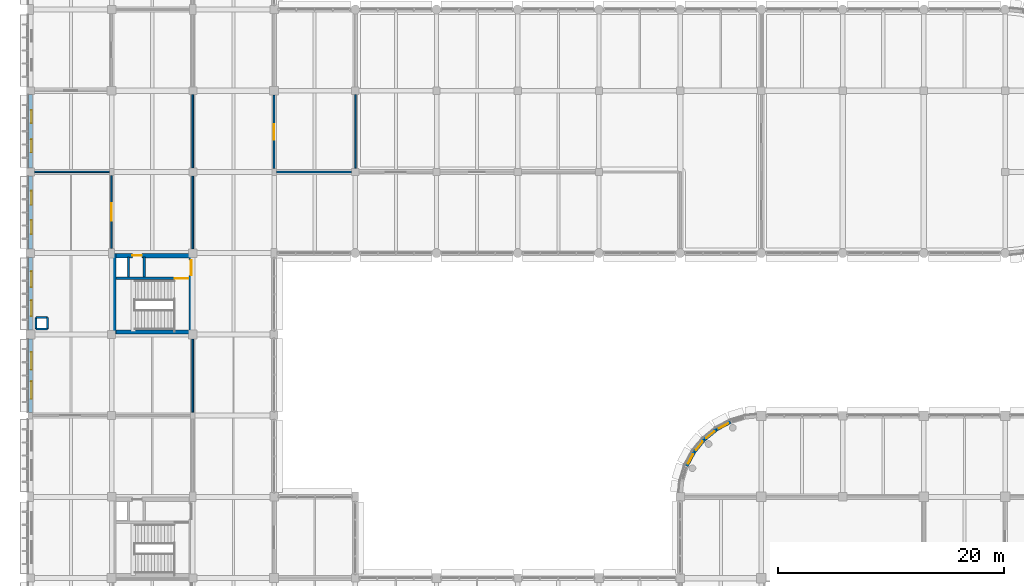
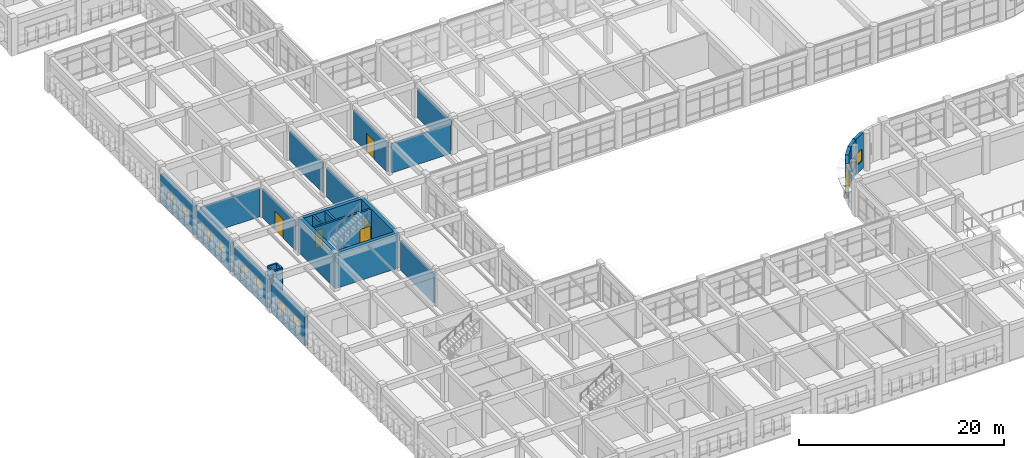
# One storey, part 150 of 171: 27 walls, 12 windows, 5 doors, 17 openings.
"""IFC4 building model written with IfcOpenShell, lengths in metres."""

from ifc_helpers import new_model, si_unit, direction, frame, frame_2d, origin, place, context, subcontext, project, spatial, rectangle, extrude, material, layer, layer_set, type_object, element, fill, save


model = new_model("IFC4")

# Units and contexts
model_context = context("Model", 3, precision=1e-05, world=origin(), true_north=direction((0.0, 1.0)))
body_context = subcontext(model_context, "Body", "Model", "MODEL_VIEW")
ifc_project = project(units=[si_unit("LENGTHUNIT", "METRE"), si_unit("AREAUNIT", "SQUARE_METRE"), si_unit("VOLUMEUNIT", "CUBIC_METRE"), si_unit("PLANEANGLEUNIT", "RADIAN"), si_unit("MASSUNIT", "GRAM", prefix="KILO")], contexts=[model_context])

# Site, building, storey
site_placement = place(None, origin())
site = spatial("IfcSite", under=ifc_project, at=site_placement, CompositionType="ELEMENT")
building_placement = place(site_placement, origin())
building = spatial("IfcBuilding", under=site, at=building_placement, Name="Thalmaran Polytechnic", CompositionType="ELEMENT")
storey_placement = place(building_placement, frame((0.0, 0.0, 5.39990234375)))
storey = spatial("IfcBuildingStorey", under=building, at=storey_placement, Name="L01", CompositionType="ELEMENT", Elevation=5.39990234375)

# Wall, openings, windows
ifc_material_1 = material(Name="Precast concrete C40/50", Category="concrete")
ifc_layer_1 = layer(ifc_material_1, 0.360107421875, Name="Precast concrete C40/50")
ifc_layer_set_1 = layer_set([ifc_layer_1], Name="Precast concrete C40/50")
wall_type_1 = type_object("IfcWallType", Name="WL-EW01", PredefinedType="STANDARD", material=ifc_layer_set_1)
wall_1_placement = place(storey_placement, frame((0.0, 36.300048828125, 0.0), z_axis=(0.0, 0.0, 1.0), x_axis=(0.0, 1.0, 0.0)))
wall_1 = element("IfcWall", 1, at=wall_1_placement, inside=storey, type_object=wall_type_1, Name="Exterior Precast Facade Wall L01-006", PredefinedType="STANDARD", context=body_context, shape_type="SweptSolid", body=[
    extrude(rectangle(XDim=6.510009765625, YDim=0.360107421875, at=frame_2d((3.2548828125, 0.0))), origin(), (0.0, 0.0, 1.0), 3.455078125),
])
opening_1_placement = place(wall_1_placement, frame((1.177978515625, 0.0, 1.14990234375)))
opening_1 = element("IfcOpeningElement", 2, at=opening_1_placement, cuts=wall_1, Name="Opening VW09", PredefinedType="OPENING", context=body_context, shape_type="SweptSolid", body=[
    extrude(rectangle(XDim=1.550048828125, YDim=1.35009765625, at=frame_2d((0.77490234375, 0.675048828125))), frame((0.0, 0.18994140625, 0.0), z_axis=(0.0, -1.0, 0.0), x_axis=(1.0, 0.0, 0.0)), (0.0, 0.0, 1.0), 0.380126953125),
])
opening_2_placement = place(wall_1_placement, frame((3.781982421875, 0.0, 1.14990234375)))
opening_2 = element("IfcOpeningElement", 3, at=opening_2_placement, cuts=wall_1, Name="Opening VW09", PredefinedType="OPENING", context=body_context, shape_type="SweptSolid", body=[
    extrude(rectangle(XDim=1.550048828125, YDim=1.35009765625, at=frame_2d((0.77490234375, 0.675048828125))), frame((0.0, 0.18994140625, 0.0), z_axis=(0.0, -1.0, 0.0), x_axis=(1.0, 0.0, 0.0)), (0.0, 0.0, 1.0), 0.380126953125),
])
ifc_material_2 = material(Name="Thermally broken aluminium and double low-E glass", Category="aluminium")
window_type_1 = type_object("IfcWindowType", Name="WN-VZ09", PartitioningType="SINGLE_PANEL", PredefinedType="WINDOW", material=ifc_material_2)
window_1_placement = place(opening_1_placement, origin())
window_1 = element("IfcWindow", 4, at=window_1_placement, inside=storey, type_object=window_type_1, Name="Deep-Set Solar-Screened Window W-0092", OverallHeight=1.35009765625, OverallWidth=1.550048828125, PartitioningType="SINGLE_PANEL", PredefinedType="WINDOW", context=body_context, shape_type="SweptSolid", body=[
    extrude(rectangle(XDim=1.550048828125, YDim=1.35009765625, at=frame_2d((0.77490234375, 0.675048828125))), frame((0.0, -0.080078125, 0.0), z_axis=(0.0, -1.0, 0.0), x_axis=(1.0, 0.0, 0.0)), (0.0, 0.0, 1.0), 0.06005859375),
])
fill(opening_1, window_1)
window_2_placement = place(opening_2_placement, origin())
window_2 = element("IfcWindow", 5, at=window_2_placement, inside=storey, type_object=window_type_1, Name="Deep-Set Solar-Screened Window W-0093", OverallHeight=1.35009765625, OverallWidth=1.550048828125, PartitioningType="SINGLE_PANEL", PredefinedType="WINDOW", context=body_context, shape_type="SweptSolid", body=[
    extrude(rectangle(XDim=1.550048828125, YDim=1.35009765625, at=frame_2d((0.77490234375, 0.675048828125))), frame((0.0, -0.080078125, 0.0), z_axis=(0.0, -1.0, 0.0), x_axis=(1.0, 0.0, 0.0)), (0.0, 0.0, 1.0), 0.06005859375),
])
fill(opening_2, window_2)

wall_2_placement = place(storey_placement, frame((0.0, 43.590087890625, 0.0), z_axis=(0.0, 0.0, 1.0), x_axis=(0.0, 1.0, 0.0)))
wall_2 = element("IfcWall", 6, at=wall_2_placement, inside=storey, type_object=wall_type_1, Name="Exterior Precast Facade Wall L01-007", PredefinedType="STANDARD", context=body_context, shape_type="SweptSolid", body=[
    extrude(rectangle(XDim=6.434814453125, YDim=0.360107421875, at=frame_2d((3.21728515625, 0.0))), origin(), (0.0, 0.0, 1.0), 3.455078125),
])
opening_3_placement = place(wall_2_placement, frame((1.23046875, 0.0, 1.14990234375)))
opening_3 = element("IfcOpeningElement", 7, at=opening_3_placement, cuts=wall_2, Name="Opening VW10", PredefinedType="OPENING", context=body_context, shape_type="SweptSolid", body=[
    extrude(rectangle(XDim=1.39990234375, YDim=1.300048828125, at=frame_2d((0.699951171875, 0.64990234375))), frame((0.0, 0.18994140625, 0.0), z_axis=(0.0, -1.0, 0.0), x_axis=(1.0, 0.0, 0.0)), (0.0, 0.0, 1.0), 0.380126953125),
])
opening_4_placement = place(wall_2_placement, frame((3.804443359375, 0.0, 1.14990234375)))
opening_4 = element("IfcOpeningElement", 8, at=opening_4_placement, cuts=wall_2, Name="Opening VW10", PredefinedType="OPENING", context=body_context, shape_type="SweptSolid", body=[
    extrude(rectangle(XDim=1.39990234375, YDim=1.300048828125, at=frame_2d((0.699951171875, 0.64990234375))), frame((0.0, 0.18994140625, 0.0), z_axis=(0.0, -1.0, 0.0), x_axis=(1.0, 0.0, 0.0)), (0.0, 0.0, 1.0), 0.380126953125),
])
window_type_2 = type_object("IfcWindowType", Name="WN-VZ10", PartitioningType="SINGLE_PANEL", PredefinedType="WINDOW", material=ifc_material_2)
window_3_placement = place(opening_3_placement, origin())
window_3 = element("IfcWindow", 9, at=window_3_placement, inside=storey, type_object=window_type_2, Name="Deep-Set Solar-Screened Window W-0094", OverallHeight=1.300048828125, OverallWidth=1.39990234375, PartitioningType="SINGLE_PANEL", PredefinedType="WINDOW", context=body_context, shape_type="SweptSolid", body=[
    extrude(rectangle(XDim=1.39990234375, YDim=1.300048828125, at=frame_2d((0.699951171875, 0.64990234375))), frame((0.0, -0.080078125, 0.0), z_axis=(0.0, -1.0, 0.0), x_axis=(1.0, 0.0, 0.0)), (0.0, 0.0, 1.0), 0.06005859375),
])
fill(opening_3, window_3)
window_4_placement = place(opening_4_placement, origin())
window_4 = element("IfcWindow", 10, at=window_4_placement, inside=storey, type_object=window_type_2, Name="Deep-Set Solar-Screened Window W-0095", OverallHeight=1.300048828125, OverallWidth=1.39990234375, PartitioningType="SINGLE_PANEL", PredefinedType="WINDOW", context=body_context, shape_type="SweptSolid", body=[
    extrude(rectangle(XDim=1.39990234375, YDim=1.300048828125, at=frame_2d((0.699951171875, 0.64990234375))), frame((0.0, -0.080078125, 0.0), z_axis=(0.0, -1.0, 0.0), x_axis=(1.0, 0.0, 0.0)), (0.0, 0.0, 1.0), 0.06005859375),
])
fill(opening_4, window_4)

wall_3_placement = place(storey_placement, frame((0.0, 50.77490234375, 0.0), z_axis=(0.0, 0.0, 1.0), x_axis=(0.0, 1.0, 0.0)))
wall_3 = element("IfcWall", 11, at=wall_3_placement, inside=storey, type_object=wall_type_1, Name="Exterior Precast Facade Wall L01-008", PredefinedType="STANDARD", context=body_context, shape_type="SweptSolid", body=[
    extrude(rectangle(XDim=6.465087890625, YDim=0.360107421875, at=frame_2d((3.232421875, 0.0))), origin(), (0.0, 0.0, 1.0), 3.455078125),
])
opening_5_placement = place(wall_3_placement, frame((1.314453125, 0.0, 1.14990234375)))
opening_5 = element("IfcOpeningElement", 12, at=opening_5_placement, cuts=wall_3, Name="Opening VW11", PredefinedType="OPENING", context=body_context, shape_type="SweptSolid", body=[
    extrude(rectangle(XDim=1.25, YDim=1.25, at=frame_2d((0.625, 0.625))), frame((0.0, 0.18994140625, 0.0), z_axis=(0.0, -1.0, 0.0), x_axis=(1.0, 0.0, 0.0)), (0.0, 0.0, 1.0), 0.380126953125),
])
opening_6_placement = place(wall_3_placement, frame((3.900390625, 0.0, 1.14990234375)))
opening_6 = element("IfcOpeningElement", 13, at=opening_6_placement, cuts=wall_3, Name="Opening VW11", PredefinedType="OPENING", context=body_context, shape_type="SweptSolid", body=[
    extrude(rectangle(XDim=1.25, YDim=1.25, at=frame_2d((0.625, 0.625))), frame((0.0, 0.18994140625, 0.0), z_axis=(0.0, -1.0, 0.0), x_axis=(1.0, 0.0, 0.0)), (0.0, 0.0, 1.0), 0.380126953125),
])
window_type_3 = type_object("IfcWindowType", Name="WN-VZ11", PartitioningType="SINGLE_PANEL", PredefinedType="WINDOW", material=ifc_material_2)
window_5_placement = place(opening_5_placement, origin())
window_5 = element("IfcWindow", 14, at=window_5_placement, inside=storey, type_object=window_type_3, Name="Deep-Set Solar-Screened Window W-0096", OverallHeight=1.25, OverallWidth=1.25, PartitioningType="SINGLE_PANEL", PredefinedType="WINDOW", context=body_context, shape_type="SweptSolid", body=[
    extrude(rectangle(XDim=1.25, YDim=1.25, at=frame_2d((0.625, 0.625))), frame((0.0, -0.080078125, 0.0), z_axis=(0.0, -1.0, 0.0), x_axis=(1.0, 0.0, 0.0)), (0.0, 0.0, 1.0), 0.06005859375),
])
fill(opening_5, window_5)
window_6_placement = place(opening_6_placement, origin())
window_6 = element("IfcWindow", 15, at=window_6_placement, inside=storey, type_object=window_type_3, Name="Deep-Set Solar-Screened Window W-0097", OverallHeight=1.25, OverallWidth=1.25, PartitioningType="SINGLE_PANEL", PredefinedType="WINDOW", context=body_context, shape_type="SweptSolid", body=[
    extrude(rectangle(XDim=1.25, YDim=1.25, at=frame_2d((0.625, 0.625))), frame((0.0, -0.080078125, 0.0), z_axis=(0.0, -1.0, 0.0), x_axis=(1.0, 0.0, 0.0)), (0.0, 0.0, 1.0), 0.06005859375),
])
fill(opening_6, window_6)

wall_4_placement = place(storey_placement, frame((0.0, 57.9599609375, 0.0), z_axis=(0.0, 0.0, 1.0), x_axis=(0.0, 1.0, 0.0)))
wall_4 = element("IfcWall", 16, at=wall_4_placement, inside=storey, type_object=wall_type_1, Name="Exterior Precast Facade Wall L01-009", PredefinedType="STANDARD", context=body_context, shape_type="SweptSolid", body=[
    extrude(rectangle(XDim=6.489990234375, YDim=0.360107421875, at=frame_2d((3.2451171875, 0.0))), origin(), (0.0, 0.0, 1.0), 3.455078125),
])
opening_7_placement = place(wall_4_placement, frame((1.3720703125, 0.0, 1.14990234375)))
opening_7 = element("IfcOpeningElement", 17, at=opening_7_placement, cuts=wall_4, Name="Opening VW12", PredefinedType="OPENING", context=body_context, shape_type="SweptSolid", body=[
    extrude(rectangle(XDim=1.14990234375, YDim=1.199951171875, at=frame_2d((0.574951171875, 0.60009765625))), frame((0.0, 0.18994140625, 0.0), z_axis=(0.0, -1.0, 0.0), x_axis=(1.0, 0.0, 0.0)), (0.0, 0.0, 1.0), 0.380126953125),
])
opening_8_placement = place(wall_4_placement, frame((3.968017578125, 0.0, 1.14990234375)))
opening_8 = element("IfcOpeningElement", 18, at=opening_8_placement, cuts=wall_4, Name="Opening VW12", PredefinedType="OPENING", context=body_context, shape_type="SweptSolid", body=[
    extrude(rectangle(XDim=1.14990234375, YDim=1.199951171875, at=frame_2d((0.574951171875, 0.60009765625))), frame((0.0, 0.18994140625, 0.0), z_axis=(0.0, -1.0, 0.0), x_axis=(1.0, 0.0, 0.0)), (0.0, 0.0, 1.0), 0.380126953125),
])
window_type_4 = type_object("IfcWindowType", Name="WN-VZ12", PartitioningType="SINGLE_PANEL", PredefinedType="WINDOW", material=ifc_material_2)
window_7_placement = place(opening_7_placement, origin())
window_7 = element("IfcWindow", 19, at=window_7_placement, inside=storey, type_object=window_type_4, Name="Deep-Set Solar-Screened Window W-0098", OverallHeight=1.199951171875, OverallWidth=1.14990234375, PartitioningType="SINGLE_PANEL", PredefinedType="WINDOW", context=body_context, shape_type="SweptSolid", body=[
    extrude(rectangle(XDim=1.14990234375, YDim=1.199951171875, at=frame_2d((0.574951171875, 0.60009765625))), frame((0.0, -0.080078125, 0.0), z_axis=(0.0, -1.0, 0.0), x_axis=(1.0, 0.0, 0.0)), (0.0, 0.0, 1.0), 0.06005859375),
])
fill(opening_7, window_7)
window_8_placement = place(opening_8_placement, origin())
window_8 = element("IfcWindow", 20, at=window_8_placement, inside=storey, type_object=window_type_4, Name="Deep-Set Solar-Screened Window W-0099", OverallHeight=1.199951171875, OverallWidth=1.14990234375, PartitioningType="SINGLE_PANEL", PredefinedType="WINDOW", context=body_context, shape_type="SweptSolid", body=[
    extrude(rectangle(XDim=1.14990234375, YDim=1.199951171875, at=frame_2d((0.574951171875, 0.60009765625))), frame((0.0, -0.080078125, 0.0), z_axis=(0.0, -1.0, 0.0), x_axis=(1.0, 0.0, 0.0)), (0.0, 0.0, 1.0), 0.06005859375),
])
fill(opening_8, window_8)

# Wall, opening, window
wall_5_placement = place(storey_placement, frame((58.14794921875, 31.555419921875, 0.0), z_axis=(0.0, 0.0, 1.0), x_axis=(0.471539643102, 0.881844864465, 0.0)))
wall_5 = element("IfcWall", 21, at=wall_5_placement, inside=storey, type_object=wall_type_1, Name="Exterior Precast Facade Wall L01-182", PredefinedType="STANDARD", context=body_context, shape_type="SweptSolid", body=[
    extrude(rectangle(XDim=1.411376953125, YDim=0.360107421875, at=frame_2d((0.70556640625, 0.0))), origin(), (0.0, 0.0, 1.0), 4.210205078125),
])
opening_9_placement = place(wall_5_placement, frame((0.2255859375, 0.0, 1.0)))
opening_9 = element("IfcOpeningElement", 22, at=opening_9_placement, cuts=wall_5, Name="Opening CR01", PredefinedType="OPENING", context=body_context, shape_type="SweptSolid", body=[
    extrude(rectangle(XDim=0.9599609375, YDim=1.39990234375, at=frame_2d((0.47998046875, 0.699951171875))), frame((0.0, 0.18994140625, 0.0), z_axis=(0.0, -1.0, 0.0), x_axis=(1.0, 0.0, 0.0)), (0.0, 0.0, 1.0), 0.380126953125),
])
window_type_5 = type_object("IfcWindowType", Name="WN-CR01", PartitioningType="SINGLE_PANEL", PredefinedType="WINDOW", material=ifc_material_2)
window_9_placement = place(opening_9_placement, origin())
window_9 = element("IfcWindow", 23, at=window_9_placement, inside=storey, type_object=window_type_5, Name="Curved Prow Ribbon Window W-0174", OverallHeight=1.39990234375, OverallWidth=0.9599609375, PartitioningType="SINGLE_PANEL", PredefinedType="WINDOW", context=body_context, shape_type="SweptSolid", body=[
    extrude(rectangle(XDim=0.9599609375, YDim=1.39990234375, at=frame_2d((0.47998046875, 0.699951171875))), frame((0.0, -0.010009765625, 0.0), z_axis=(0.0, -1.0, 0.0), x_axis=(1.0, 0.0, 0.0)), (0.0, 0.0, 1.0), 0.06005859375),
])
fill(opening_9, window_9)

wall_6_placement = place(storey_placement, frame((58.8134765625, 32.800048828125, 0.0), z_axis=(0.0, 0.0, 1.0), x_axis=(0.63432986571, 0.773062495189, 0.0)))
wall_6 = element("IfcWall", 24, at=wall_6_placement, inside=storey, type_object=wall_type_1, Name="Exterior Precast Facade Wall L01-183", PredefinedType="STANDARD", context=body_context, shape_type="SweptSolid", body=[
    extrude(rectangle(XDim=1.411376953125, YDim=0.360107421875, at=frame_2d((0.70556640625, 0.0))), origin(), (0.0, 0.0, 1.0), 4.210205078125),
])
opening_10_placement = place(wall_6_placement, frame((0.2255859375, 0.0, 1.0)))
opening_10 = element("IfcOpeningElement", 25, at=opening_10_placement, cuts=wall_6, Name="Opening CR01", PredefinedType="OPENING", context=body_context, shape_type="SweptSolid", body=[
    extrude(rectangle(XDim=0.9599609375, YDim=1.39990234375, at=frame_2d((0.47998046875, 0.699951171875))), frame((0.0, 0.18994140625, 0.0), z_axis=(0.0, -1.0, 0.0), x_axis=(1.0, 0.0, 0.0)), (0.0, 0.0, 1.0), 0.380126953125),
])
window_10_placement = place(opening_10_placement, origin())
window_10 = element("IfcWindow", 26, at=window_10_placement, inside=storey, type_object=window_type_5, Name="Curved Prow Ribbon Window W-0175", OverallHeight=1.39990234375, OverallWidth=0.9599609375, PartitioningType="SINGLE_PANEL", PredefinedType="WINDOW", context=body_context, shape_type="SweptSolid", body=[
    extrude(rectangle(XDim=0.9599609375, YDim=1.39990234375, at=frame_2d((0.47998046875, 0.699951171875))), frame((0.0, -0.010009765625, 0.0), z_axis=(0.0, -1.0, 0.0), x_axis=(1.0, 0.0, 0.0)), (0.0, 0.0, 1.0), 0.06005859375),
])
fill(opening_10, window_10)

wall_7_placement = place(storey_placement, frame((59.708740234375, 33.89111328125, 0.0), z_axis=(0.0, 0.0, 1.0), x_axis=(0.772977670605, 0.634433227965, 0.0)))
wall_7 = element("IfcWall", 27, at=wall_7_placement, inside=storey, type_object=wall_type_1, Name="Exterior Precast Facade Wall L01-184", PredefinedType="STANDARD", context=body_context, shape_type="SweptSolid", body=[
    extrude(rectangle(XDim=1.41162109375, YDim=0.360107421875, at=frame_2d((0.705810546875, 0.0))), origin(), (0.0, 0.0, 1.0), 4.210205078125),
])
opening_11_placement = place(wall_7_placement, frame((0.2255859375, 0.0, 1.0)))
opening_11 = element("IfcOpeningElement", 28, at=opening_11_placement, cuts=wall_7, Name="Opening CR01", PredefinedType="OPENING", context=body_context, shape_type="SweptSolid", body=[
    extrude(rectangle(XDim=0.9599609375, YDim=1.39990234375, at=frame_2d((0.47998046875, 0.699951171875))), frame((0.0, 0.18994140625, 0.0), z_axis=(0.0, -1.0, 0.0), x_axis=(1.0, 0.0, 0.0)), (0.0, 0.0, 1.0), 0.380126953125),
])
window_11_placement = place(opening_11_placement, origin())
window_11 = element("IfcWindow", 29, at=window_11_placement, inside=storey, type_object=window_type_5, Name="Curved Prow Ribbon Window W-0176", OverallHeight=1.39990234375, OverallWidth=0.9599609375, PartitioningType="SINGLE_PANEL", PredefinedType="WINDOW", context=body_context, shape_type="SweptSolid", body=[
    extrude(rectangle(XDim=0.9599609375, YDim=1.39990234375, at=frame_2d((0.47998046875, 0.699951171875))), frame((0.0, -0.010009765625, 0.0), z_axis=(0.0, -1.0, 0.0), x_axis=(1.0, 0.0, 0.0)), (0.0, 0.0, 1.0), 0.06005859375),
])
fill(opening_11, window_11)

ifc_layer_2 = layer(ifc_material_1, 0.330078125, Name="Precast concrete C40/50")
ifc_layer_set_2 = layer_set([ifc_layer_2], Name="Precast concrete C40/50")
wall_type_2 = type_object("IfcWallType", Name="WL-EW02", PredefinedType="STANDARD", material=ifc_layer_set_2)
wall_8_placement = place(storey_placement, frame((60.7998046875, 34.78662109375, 0.0), z_axis=(0.0, 0.0, 1.0), x_axis=(0.881955222984, 0.471333199182, 0.0)))
wall_8 = element("IfcWall", 30, at=wall_8_placement, inside=storey, type_object=wall_type_2, Name="Exterior Precast Facade Wall L01-185", PredefinedType="STANDARD", context=body_context, shape_type="SweptSolid", body=[
    extrude(rectangle(XDim=1.411376953125, YDim=0.330078125, at=frame_2d((0.70556640625, 0.0))), origin(), (0.0, 0.0, 1.0), 4.210205078125),
])
opening_12_placement = place(wall_8_placement, frame((0.2255859375, 0.0, 1.0)))
opening_12 = element("IfcOpeningElement", 31, at=opening_12_placement, cuts=wall_8, Name="Opening CR01", PredefinedType="OPENING", context=body_context, shape_type="SweptSolid", body=[
    extrude(rectangle(XDim=0.9599609375, YDim=1.39990234375, at=frame_2d((0.47998046875, 0.699951171875))), frame((0.0, 0.175048828125, 0.0), z_axis=(0.0, -1.0, 0.0), x_axis=(1.0, 0.0, 0.0)), (0.0, 0.0, 1.0), 0.35009765625),
])
window_12_placement = place(opening_12_placement, origin())
window_12 = element("IfcWindow", 32, at=window_12_placement, inside=storey, type_object=window_type_5, Name="Curved Prow Ribbon Window W-0177", OverallHeight=1.39990234375, OverallWidth=0.9599609375, PartitioningType="SINGLE_PANEL", PredefinedType="WINDOW", context=body_context, shape_type="SweptSolid", body=[
    extrude(rectangle(XDim=0.9599609375, YDim=1.39990234375, at=frame_2d((0.47998046875, 0.699951171875))), frame((0.0, -0.010009765625, 0.0), z_axis=(0.0, -1.0, 0.0), x_axis=(1.0, 0.0, 0.0)), (0.0, 0.0, 1.0), 0.06005859375),
])
fill(opening_12, window_12)

# Walls
ifc_material_3 = material(Name="Autoclaved aerated masonry", Category="masonry")
ifc_layer_3 = layer(ifc_material_3, 0.22998046875, Name="Autoclaved aerated masonry")
ifc_layer_set_3 = layer_set([ifc_layer_3], Name="Autoclaved aerated masonry")
wall_type_3 = type_object("IfcWallType", Name="WL-IW02", PredefinedType="PARTITIONING", material=ifc_layer_set_3)
wall_9_placement = place(storey_placement, frame((10.10009765625, 48.300048828125, 0.0), z_axis=(0.0, 0.0, 1.0), x_axis=(0.0, 1.0, 0.0)))
element("IfcWall", 33, at=wall_9_placement, inside=storey, type_object=wall_type_3, Name="Core C4 Riser Partition L01", PredefinedType="PARTITIONING", context=body_context, shape_type="SweptSolid", body=[
    extrude(rectangle(XDim=1.739990234375, YDim=0.22998046875, at=frame_2d((0.8701171875, 0.0))), origin(), (0.0, 0.0, 1.0), 4.210205078125),
])
ifc_layer_4 = layer(ifc_material_3, 0.179931640625, Name="Autoclaved aerated masonry")
ifc_layer_set_4 = layer_set([ifc_layer_4], Name="Autoclaved aerated masonry")
wall_type_4 = type_object("IfcWallType", Name="WL-IW04", PredefinedType="PARTITIONING", material=ifc_layer_set_4)
wall_10_placement = place(storey_placement, frame((8.679931640625, 48.280029296875, 0.0), z_axis=(0.0, 0.0, 1.0), x_axis=(0.0, 1.0, 0.0)))
element("IfcWall", 34, at=wall_10_placement, inside=storey, type_object=wall_type_4, Name="Core C4 Riser Shaft Enclosure Wall L01", PredefinedType="PARTITIONING", context=body_context, shape_type="SweptSolid", body=[
    extrude(rectangle(XDim=1.760009765625, YDim=0.179931640625, at=frame_2d((0.8798828125, 0.0))), origin(), (0.0, 0.0, 1.0), 4.210205078125),
])
for number, where, z_axis, x_axis, name in (
    (35, (0.489990234375, 43.68994140625, 0.0), (0.0, 0.0, 1.0), (1.0, 0.0, 0.0), "Fume Exhaust Riser Shaft Wall L01 (0,6)-S"),
    (36, (1.510009765625, 43.68994140625, 0.0), (0.0, 0.0, 1.0), (0.0, 1.0, 0.0), "Fume Exhaust Riser Shaft Wall L01 (0,6)-E"),
    (37, (1.510009765625, 44.7099609375, 0.0), (0.0, 0.0, 1.0), (-1.0, 0.0, 0.0), "Fume Exhaust Riser Shaft Wall L01 (0,6)-N"),
    (38, (0.489990234375, 44.7099609375, 0.0), (0.0, 0.0, 1.0), (0.0, -1.0, 0.0), "Fume Exhaust Riser Shaft Wall L01 (0,6)-W"),
):
    element("IfcWall", number, at=place(storey_placement, frame(where, z_axis=z_axis, x_axis=x_axis)), inside=storey, type_object=wall_type_4, Name=name, PredefinedType="PARTITIONING", context=body_context, shape_type="SweptSolid", body=[
        extrude(rectangle(XDim=1.02001953125, YDim=0.179931640625, at=frame_2d((0.510009765625, 0.0))), origin(), (0.0, 0.0, 1.0), 4.210205078125),
    ])
ifc_material_4 = material(Name="Gypsum acoustic partition")
ifc_layer_5 = layer(ifc_material_4, 0.159912109375, Name="Gypsum acoustic partition")
ifc_layer_set_5 = layer_set([ifc_layer_5], Name="Gypsum acoustic partition")
wall_type_5 = type_object("IfcWallType", Name="WL-IW05", PredefinedType="PARTITIONING", material=ifc_layer_set_5)
wall_11_placement = place(storey_placement, frame((14.39990234375, 36.304931640625, 0.0), z_axis=(0.0, 0.0, 1.0), x_axis=(0.0, 1.0, 0.0)))
element("IfcWall", 39, at=wall_11_placement, inside=storey, type_object=wall_type_5, Name="Interior Partition IW05 L01-013", PredefinedType="PARTITIONING", context=body_context, shape_type="SweptSolid", body=[
    extrude(rectangle(XDim=6.5, YDim=0.159912109375, at=frame_2d((3.25, 0.0))), origin(), (0.0, 0.0, 1.0), 3.580078125),
])
wall_12_placement = place(storey_placement, frame((14.39990234375, 50.780029296875, 0.0), z_axis=(0.0, 0.0, 1.0), x_axis=(0.0, 1.0, 0.0)))
element("IfcWall", 40, at=wall_12_placement, inside=storey, type_object=wall_type_5, Name="Interior Partition IW05 L01-014", PredefinedType="PARTITIONING", context=body_context, shape_type="SweptSolid", body=[
    extrude(rectangle(XDim=6.455078125, YDim=0.159912109375, at=frame_2d((3.2275390625, 0.0))), origin(), (0.0, 0.0, 1.0), 3.525146484375),
])
wall_13_placement = place(storey_placement, frame((14.39990234375, 57.965087890625, 0.0), z_axis=(0.0, 0.0, 1.0), x_axis=(0.0, 1.0, 0.0)))
element("IfcWall", 41, at=wall_13_placement, inside=storey, type_object=wall_type_5, Name="Interior Partition IW05 L01-015", PredefinedType="PARTITIONING", context=body_context, shape_type="SweptSolid", body=[
    extrude(rectangle(XDim=6.47998046875, YDim=0.159912109375, at=frame_2d((3.239990234375, 0.0))), origin(), (0.0, 0.0, 1.0), 3.525146484375),
])

# Wall, opening, door
wall_14_placement = place(storey_placement, frame((21.60009765625, 57.905029296875, 0.0), z_axis=(0.0, 0.0, 1.0), x_axis=(0.0, 1.0, 0.0)))
wall_14 = element("IfcWall", 42, at=wall_14_placement, inside=storey, type_object=wall_type_5, Name="Interior Partition IW05 L01-028", PredefinedType="PARTITIONING", context=body_context, shape_type="SweptSolid", body=[
    extrude(rectangle(XDim=6.5, YDim=0.159912109375, at=frame_2d((3.25, 0.0))), origin(), (0.0, 0.0, 1.0), 3.525146484375),
])
opening_13_placement = place(wall_14_placement, frame((2.56005859375, 0.0, 0.0)))
opening_13 = element("IfcOpeningElement", 43, at=opening_13_placement, cuts=wall_14, Name="Opening D-L01-012-1-08-1", PredefinedType="OPENING", context=body_context, shape_type="SweptSolid", body=[
    extrude(rectangle(XDim=1.3798828125, YDim=2.219970703125, at=frame_2d((0.68994140625, 1.10986328125))), frame((0.0, 0.08984375, 0.0), z_axis=(0.0, -1.0, 0.0), x_axis=(1.0, 0.0, 0.0)), (0.0, 0.0, 1.0), 0.179931640625),
])
ifc_material_5 = material(Name="Acoustic hardwood and vision glass", Category="wood")
door_type_1 = type_object("IfcDoorType", Name="DR-ZD04", OperationType="NOTDEFINED", PredefinedType="DOOR", material=ifc_material_5)
door_1_placement = place(opening_13_placement, origin())
door_1 = element("IfcDoor", 44, at=door_1_placement, inside=storey, type_object=door_type_1, Name="Fluid Mechanics Laboratory L01-08 Door 1", OperationType="SINGLE_SWING_LEFT", OverallHeight=2.219970703125, OverallWidth=1.3798828125, PredefinedType="DOOR", context=body_context, shape_type="SweptSolid", body=[
    extrude(rectangle(XDim=1.3798828125, YDim=2.219970703125, at=frame_2d((0.68994140625, 1.10986328125))), frame((0.0, 0.02490234375, 0.0), z_axis=(0.0, -1.0, 0.0), x_axis=(1.0, 0.0, 0.0)), (0.0, 0.0, 1.0), 0.050048828125),
])
fill(opening_13, door_1)

# Walls
wall_15_placement = place(storey_placement, frame((21.804931640625, 57.60009765625, 0.0), z_axis=(0.0, 0.0, 1.0), x_axis=(1.0, 0.0, 0.0)))
element("IfcWall", 45, at=wall_15_placement, inside=storey, type_object=wall_type_5, Name="Interior Partition IW05 L01-035", PredefinedType="PARTITIONING", context=body_context, shape_type="SweptSolid", body=[
    extrude(rectangle(XDim=6.6650390625, YDim=0.159912109375, at=frame_2d((3.33251953125, 0.0))), origin(), (0.0, 0.0, 1.0), 3.489990234375),
])
ifc_layer_6 = layer(ifc_material_4, 0.1298828125, Name="Gypsum acoustic partition")
ifc_layer_set_6 = layer_set([ifc_layer_6], Name="Gypsum acoustic partition")
wall_type_6 = type_object("IfcWallType", Name="WL-IW07", PredefinedType="PARTITIONING", material=ifc_layer_set_6)
wall_16_placement = place(storey_placement, frame((0.364990234375, 57.60009765625, 0.0), z_axis=(0.0, 0.0, 1.0), x_axis=(1.0, 0.0, 0.0)))
element("IfcWall", 46, at=wall_16_placement, inside=storey, type_object=wall_type_6, Name="Interior Partition IW07 L01-004", PredefinedType="PARTITIONING", context=body_context, shape_type="SweptSolid", body=[
    extrude(rectangle(XDim=6.630126953125, YDim=0.1298828125, at=frame_2d((3.31494140625, 0.0))), origin(), (0.0, 0.0, 1.0), 3.460205078125),
])
wall_17_placement = place(storey_placement, frame((28.800048828125, 57.929931640625, 0.0), z_axis=(0.0, 0.0, 1.0), x_axis=(0.0, 1.0, 0.0)))
element("IfcWall", 47, at=wall_17_placement, inside=storey, type_object=wall_type_6, Name="Interior Partition IW07 L01-036", PredefinedType="PARTITIONING", context=body_context, shape_type="SweptSolid", body=[
    extrude(rectangle(XDim=6.5400390625, YDim=0.1298828125, at=frame_2d((3.27001953125, 0.0))), origin(), (0.0, 0.0, 1.0), 3.525146484375),
])

# Wall, opening, door
ifc_layer_7 = layer(ifc_material_4, 0.114990234375, Name="Gypsum acoustic partition")
ifc_layer_set_7 = layer_set([ifc_layer_7], Name="Gypsum acoustic partition")
wall_type_7 = type_object("IfcWallType", Name="WL-IW08", PredefinedType="PARTITIONING", material=ifc_layer_set_7)
wall_18_placement = place(storey_placement, frame((7.199951171875, 50.830078125, 0.0), z_axis=(0.0, 0.0, 1.0), x_axis=(0.0, 1.0, 0.0)))
wall_18 = element("IfcWall", 48, at=wall_18_placement, inside=storey, type_object=wall_type_7, Name="Interior Partition IW08 L01-003", PredefinedType="PARTITIONING", context=body_context, shape_type="SweptSolid", body=[
    extrude(rectangle(XDim=6.46484375, YDim=0.114990234375, at=frame_2d((3.232421875, 0.0))), origin(), (0.0, 0.0, 1.0), 3.525146484375),
])
opening_14_placement = place(wall_18_placement, frame((2.452392578125, 0.0, 0.0)))
opening_14 = element("IfcOpeningElement", 49, at=opening_14_placement, cuts=wall_18, Name="Opening D-L01-011-1-07-1", PredefinedType="OPENING", context=body_context, shape_type="SweptSolid", body=[
    extrude(rectangle(XDim=1.56005859375, YDim=2.25, at=frame_2d((0.780029296875, 1.125))), frame((0.0, 0.0673828125, 0.0), z_axis=(0.0, -1.0, 0.0), x_axis=(1.0, 0.0, 0.0)), (0.0, 0.0, 1.0), 0.135009765625),
])
door_type_2 = type_object("IfcDoorType", Name="DR-ZD03", OperationType="NOTDEFINED", PredefinedType="DOOR", material=ifc_material_5)
door_2_placement = place(opening_14_placement, origin())
door_2 = element("IfcDoor", 50, at=door_2_placement, inside=storey, type_object=door_type_2, Name="Academic Department Suite L01-07 Door 1", OperationType="SINGLE_SWING_RIGHT", OverallHeight=2.25, OverallWidth=1.56005859375, PredefinedType="DOOR", context=body_context, shape_type="SweptSolid", body=[
    extrude(rectangle(XDim=1.56005859375, YDim=2.25, at=frame_2d((0.780029296875, 1.125))), frame((0.0, 0.02490234375, 0.0), z_axis=(0.0, -1.0, 0.0), x_axis=(1.0, 0.0, 0.0)), (0.0, 0.0, 1.0), 0.050048828125),
])
fill(opening_14, door_2)

# Walls
ifc_material_6 = material(Name="Concrete C50/60", Category="concrete")
ifc_layer_8 = layer(ifc_material_6, 0.3798828125, Name="Concrete C50/60")
ifc_layer_set_8 = layer_set([ifc_layer_8], Name="Concrete C50/60")
wall_type_8 = type_object("IfcWallType", Name="WL-SW02", PredefinedType="SHEAR", material=ifc_layer_set_8)
wall_19_placement = place(storey_placement, frame((7.610107421875, 43.419921875, 0.0), z_axis=(0.0, 0.0, 1.0), x_axis=(1.0, 0.0, 0.0)))
element("IfcWall", 51, at=wall_19_placement, inside=storey, type_object=wall_type_8, Name="Core C4 South Shear Wall L01", PredefinedType="SHEAR", context=body_context, shape_type="SweptSolid", body=[
    extrude(rectangle(XDim=6.4599609375, YDim=0.3798828125, at=frame_2d((3.22998046875, 0.0))), origin(), (0.0, 0.0, 1.0), 4.210205078125),
])
wall_20_placement = place(storey_placement, frame((7.419921875, 50.3701171875, 0.0), z_axis=(0.0, 0.0, 1.0), x_axis=(0.0, -1.0, 0.0)))
element("IfcWall", 52, at=wall_20_placement, inside=storey, type_object=wall_type_8, Name="Core C4 West Shear Wall L01", PredefinedType="SHEAR", context=body_context, shape_type="SweptSolid", body=[
    extrude(rectangle(XDim=7.14013671875, YDim=0.3798828125, at=frame_2d((3.570068359375, 0.0))), origin(), (0.0, 0.0, 1.0), 4.210205078125),
])

# Wall, opening, door
wall_21_placement = place(storey_placement, frame((7.610107421875, 50.179931640625, 0.0), z_axis=(0.0, 0.0, 1.0), x_axis=(1.0, 0.0, 0.0)))
wall_21 = element("IfcWall", 53, at=wall_21_placement, inside=storey, type_object=wall_type_8, Name="Core C4 North Shear Wall L01", PredefinedType="SHEAR", context=body_context, shape_type="SweptSolid", body=[
    extrude(rectangle(XDim=6.4599609375, YDim=0.3798828125, at=frame_2d((3.22998046875, 0.0))), origin(), (0.0, 0.0, 1.0), 4.210205078125),
])
opening_15_placement = place(wall_21_placement, frame((1.419921875, 0.0, 0.0)))
opening_15 = element("IfcOpeningElement", 54, at=opening_15_placement, cuts=wall_21, Name="Opening DR-C4-L01-R", PredefinedType="OPENING", context=body_context, shape_type="SweptSolid", body=[
    extrude(rectangle(XDim=0.85009765625, YDim=2.10009765625, at=frame_2d((0.425048828125, 1.050048828125))), frame((0.0, 0.199951171875, 0.0), z_axis=(0.0, -1.0, 0.0), x_axis=(1.0, 0.0, 0.0)), (0.0, 0.0, 1.0), 0.39990234375),
])
ifc_material_7 = material(Name="Powder-coated fire-rated steel", Category="steel")
door_type_3 = type_object("IfcDoorType", Name="DR-FD09", OperationType="NOTDEFINED", PredefinedType="DOOR", material=ifc_material_7)
door_3_placement = place(opening_15_placement, origin())
door_3 = element("IfcDoor", 55, at=door_3_placement, inside=storey, type_object=door_type_3, Name="Riser Access Fire Door C4 L01", OperationType="SINGLE_SWING_RIGHT", OverallHeight=2.10009765625, OverallWidth=0.85009765625, PredefinedType="DOOR", context=body_context, shape_type="SweptSolid", body=[
    extrude(rectangle(XDim=0.85009765625, YDim=2.10009765625, at=frame_2d((0.425048828125, 1.050048828125))), frame((0.0, 0.02490234375, 0.0), z_axis=(0.0, -1.0, 0.0), x_axis=(1.0, 0.0, 0.0)), (0.0, 0.0, 1.0), 0.050048828125),
])
fill(opening_15, door_3)

wall_22_placement = place(storey_placement, frame((7.610107421875, 48.159912109375, 0.0), z_axis=(0.0, 0.0, 1.0), x_axis=(1.0, 0.0, 0.0)))
wall_22 = element("IfcWall", 56, at=wall_22_placement, inside=storey, type_object=wall_type_8, Name="Core C4 Stair Partition L01", PredefinedType="SHEAR", context=body_context, shape_type="SweptSolid", body=[
    extrude(rectangle(XDim=6.4599609375, YDim=0.219970703125, at=frame_2d((3.22998046875, 0.0))), origin(), (0.0, 0.0, 1.0), 4.210205078125),
])
opening_16_placement = place(wall_22_placement, frame((5.199951171875, 0.0, 0.0)))
opening_16 = element("IfcOpeningElement", 57, at=opening_16_placement, cuts=wall_22, Name="Opening SD-ST4-L01", PredefinedType="OPENING", context=body_context, shape_type="SweptSolid", body=[
    extrude(rectangle(XDim=1.199951171875, YDim=2.199951171875, at=frame_2d((0.60009765625, 1.10009765625))), frame((0.0, 0.119873046875, 0.0), z_axis=(0.0, -1.0, 0.0), x_axis=(1.0, 0.0, 0.0)), (0.0, 0.0, 1.0), 0.239990234375),
])
door_type_4 = type_object("IfcDoorType", Name="DR-FD04", OperationType="NOTDEFINED", PredefinedType="DOOR", material=ifc_material_7)
door_4_placement = place(opening_16_placement, origin())
door_4 = element("IfcDoor", 58, at=door_4_placement, inside=storey, type_object=door_type_4, Name="Exit Stair Fire Door ST4 L01", OperationType="DOUBLE_DOOR_SINGLE_SWING", OverallHeight=2.199951171875, OverallWidth=1.199951171875, PredefinedType="DOOR", context=body_context, shape_type="SweptSolid", body=[
    extrude(rectangle(XDim=1.199951171875, YDim=2.199951171875, at=frame_2d((0.60009765625, 1.10009765625))), frame((0.0, 0.02490234375, 0.0), z_axis=(0.0, -1.0, 0.0), x_axis=(1.0, 0.0, 0.0)), (0.0, 0.0, 1.0), 0.050048828125),
])
fill(opening_16, door_4)

wall_23_placement = place(storey_placement, frame((14.260009765625, 43.22998046875, 0.0), z_axis=(0.0, 0.0, 1.0), x_axis=(0.0, 1.0, 0.0)))
wall_23 = element("IfcWall", 59, at=wall_23_placement, inside=storey, type_object=wall_type_8, Name="Core C4 East Shear Wall L01", PredefinedType="SHEAR", context=body_context, shape_type="SweptSolid", body=[
    extrude(rectangle(XDim=7.14013671875, YDim=0.3798828125, at=frame_2d((3.570068359375, 0.0))), origin(), (0.0, 0.0, 1.0), 4.210205078125),
])
opening_17_placement = place(wall_23_placement, frame((5.199951171875, 0.0, 0.0)))
opening_17 = element("IfcOpeningElement", 60, at=opening_17_placement, cuts=wall_23, Name="Opening LD-C4-L01", PredefinedType="OPENING", context=body_context, shape_type="SweptSolid", body=[
    extrude(rectangle(XDim=1.35009765625, YDim=2.14990234375, at=frame_2d((0.675048828125, 1.074951171875))), frame((0.0, 0.199951171875, 0.0), z_axis=(0.0, -1.0, 0.0), x_axis=(1.0, 0.0, 0.0)), (0.0, 0.0, 1.0), 0.39990234375),
])
door_type_5 = type_object("IfcDoorType", Name="DR-FD06", OperationType="NOTDEFINED", PredefinedType="DOOR", material=ifc_material_7)
door_5_placement = place(opening_17_placement, origin())
door_5 = element("IfcDoor", 61, at=door_5_placement, inside=storey, type_object=door_type_5, Name="Stair Lobby Fire Door C4 L01", OperationType="SINGLE_SWING_LEFT", OverallHeight=2.14990234375, OverallWidth=1.35009765625, PredefinedType="DOOR", context=body_context, shape_type="SweptSolid", body=[
    extrude(rectangle(XDim=1.35009765625, YDim=2.14990234375, at=frame_2d((0.675048828125, 1.074951171875))), frame((0.0, 0.02490234375, 0.0), z_axis=(0.0, -1.0, 0.0), x_axis=(1.0, 0.0, 0.0)), (0.0, 0.0, 1.0), 0.050048828125),
])
fill(opening_17, door_5)

save(model, "model.ifc")
